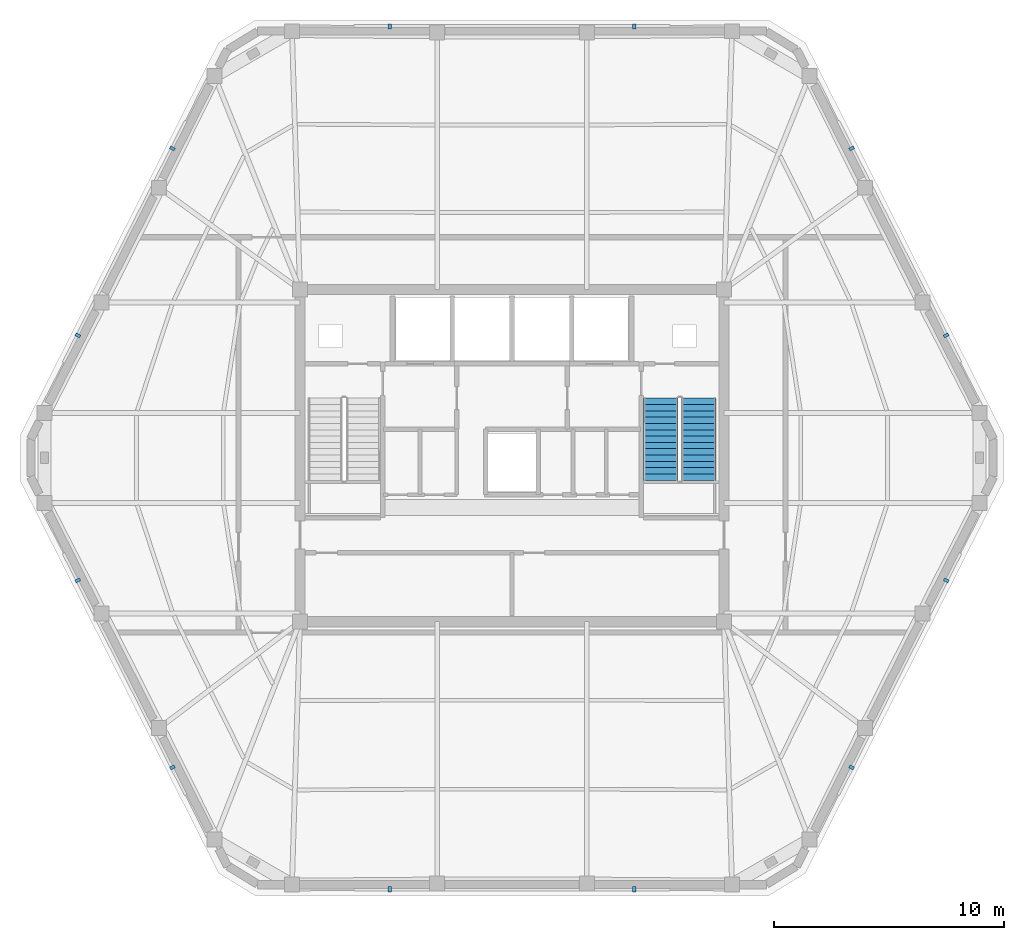
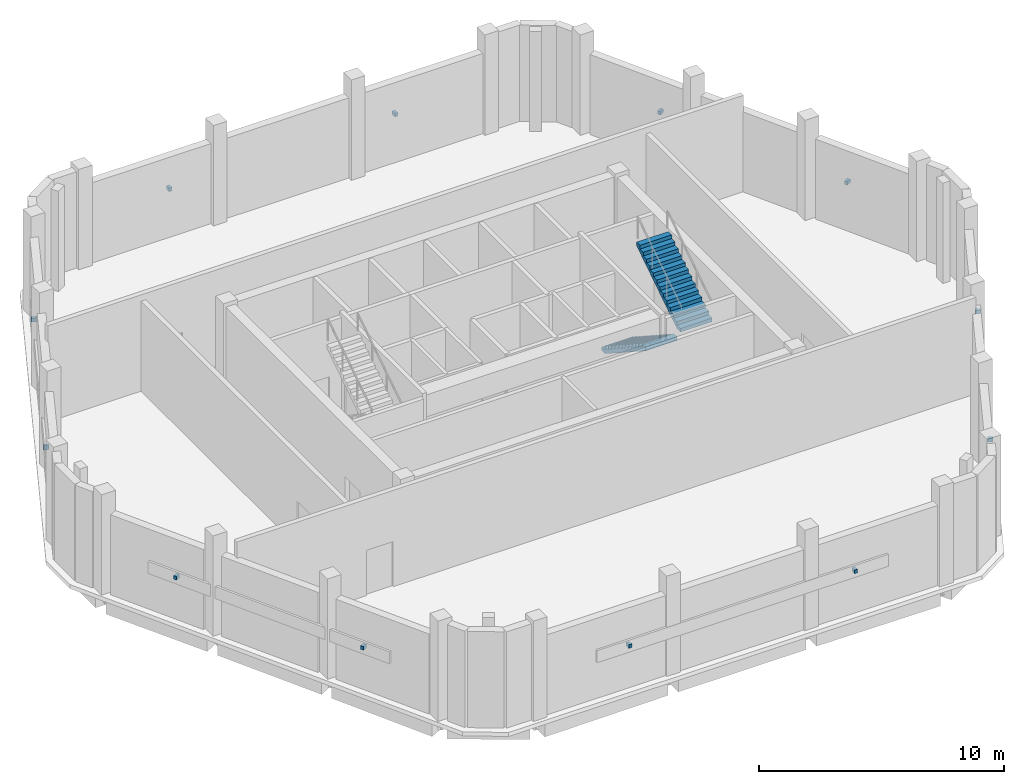
# One storey, part 5 of 8: 12 discrete accessories, 2 stair flights, 1 element without a shape of its own.
"""IFC4 building model written with IfcOpenShell, lengths in metres."""

from ifc_helpers import new_model, si_unit, direction, frame, origin, origin_2d, place, context, subcontext, project, spatial, polyline, rectangle, outline, extrude, material, type_object, element, aggregate, save


model = new_model("IFC4")

# Units and contexts
model_context = context("Model", 3, precision=1e-05, world=origin(), true_north=direction((0.0, 1.0)))
body_context = subcontext(model_context, "Body", "Model", "MODEL_VIEW")
ifc_project = project(units=[si_unit("LENGTHUNIT", "METRE"), si_unit("AREAUNIT", "SQUARE_METRE"), si_unit("VOLUMEUNIT", "CUBIC_METRE"), si_unit("PLANEANGLEUNIT", "RADIAN"), si_unit("MASSUNIT", "GRAM", prefix="KILO")], contexts=[model_context])

# Site, building, storey
site_placement = place(None, origin())
site = spatial("IfcSite", under=ifc_project, at=site_placement, CompositionType="ELEMENT")
building_placement = place(site_placement, origin())
building = spatial("IfcBuilding", under=site, at=building_placement, Name="Cinnabar Lancet Tower", CompositionType="ELEMENT")
storey_placement = place(building_placement, frame((0.0, 0.0, 295.5)))
storey = spatial("IfcBuildingStorey", under=building, at=storey_placement, Name="L78", CompositionType="ELEMENT", Elevation=295.5)

# Stair, stair flights
ifc_material_1 = material(Name="Concrete C40/50", Category="concrete")
stair_type = type_object("IfcStairType", Name="ST-CORE", PredefinedType="HALF_TURN_STAIR", material=ifc_material_1)
stair_placement = place(storey_placement, origin())
stair = element("IfcStair", 1, at=stair_placement, inside=storey, type_object=stair_type, Name="L78 ST-2", PredefinedType="HALF_TURN_STAIR")
ifc_material_2 = material(Name="Concrete C40/50", Category="concrete")
stair_flight_type = type_object("IfcStairFlightType", Name="FLIGHT-CORE", PredefinedType="STRAIGHT", material=ifc_material_2)
stair_flight_1_placement = place(storey_placement, frame((38.875, 28.39990234375, 0.0), z_axis=(0.0, 0.0, 1.0), x_axis=(0.0, -1.0, 0.0)))
stair_flight_1 = element("IfcStairFlight", 2, at=stair_flight_1_placement, type_object=stair_flight_type, Name="ST-2 flight 1", NumberOfRisers=14, NumberOfTreads=13, PredefinedType="STRAIGHT", RiserHeight=0.178571429, TreadLength=0.275, context=body_context, shape_type="SweptSolid", body=[
    extrude(outline(polyline([(0.0, 0.0), (0.0, 0.178466796875), (0.27490234375, 0.178466796875), (0.27490234375, 0.357177734375), (0.550048828125, 0.357177734375), (0.550048828125, 0.53564453125), (0.824951171875, 0.53564453125), (0.824951171875, 0.71435546875), (1.10009765625, 0.71435546875), (1.10009765625, 0.892822265625), (1.375, 0.892822265625), (1.375, 1.071533203125), (1.64990234375, 1.071533203125), (1.64990234375, 1.25), (1.925048828125, 1.25), (1.925048828125, 1.428466796875), (2.199951171875, 1.428466796875), (2.199951171875, 1.607177734375), (2.47509765625, 1.607177734375), (2.47509765625, 1.78564453125), (2.75, 1.78564453125), (2.75, 1.96435546875), (3.02490234375, 1.96435546875), (3.02490234375, 2.142822265625), (3.300048828125, 2.142822265625), (3.300048828125, 2.321533203125), (3.574951171875, 2.321533203125), (3.574951171875, 2.5), (3.574951171875, 2.142578125), (0.275146484375, 0.0), (0.0, 0.0)])), frame((0.0, 0.75, 0.0), z_axis=(0.0, -1.0, 0.0), x_axis=(1.0, 0.0, 0.0)), (0.0, 0.0, 1.0), 1.5),
])
stair_flight_2_placement = place(storey_placement, frame((40.52490234375, 24.824951171875, 2.5), z_axis=(0.0, 0.0, 1.0), x_axis=(0.0, 1.0, 0.0)))
stair_flight_2 = element("IfcStairFlight", 3, at=stair_flight_2_placement, type_object=stair_flight_type, Name="ST-2 flight 2", NumberOfRisers=14, NumberOfTreads=13, PredefinedType="STRAIGHT", RiserHeight=0.178571429, TreadLength=0.275, context=body_context, shape_type="SweptSolid", body=[
    extrude(outline(polyline([(0.0, 0.0), (0.0, 0.178466796875), (0.27490234375, 0.178466796875), (0.27490234375, 0.357177734375), (0.550048828125, 0.357177734375), (0.550048828125, 0.53564453125), (0.824951171875, 0.53564453125), (0.824951171875, 0.71435546875), (1.10009765625, 0.71435546875), (1.10009765625, 0.892822265625), (1.375, 0.892822265625), (1.375, 1.071533203125), (1.64990234375, 1.071533203125), (1.64990234375, 1.25), (1.925048828125, 1.25), (1.925048828125, 1.428466796875), (2.199951171875, 1.428466796875), (2.199951171875, 1.607177734375), (2.47509765625, 1.607177734375), (2.47509765625, 1.78564453125), (2.75, 1.78564453125), (2.75, 1.96435546875), (3.02490234375, 1.96435546875), (3.02490234375, 2.142822265625), (3.300048828125, 2.142822265625), (3.300048828125, 2.321533203125), (3.574951171875, 2.321533203125), (3.574951171875, 2.5), (3.574951171875, 2.142578125), (0.275146484375, 0.0), (0.0, 0.0)])), frame((0.0, 0.75, 0.0), z_axis=(0.0, -1.0, 0.0), x_axis=(1.0, 0.0, 0.0)), (0.0, 0.0, 1.0), 1.5),
])
aggregate(stair, [stair_flight_1, stair_flight_2])

# Discrete accessories
ifc_material_3 = material(Name="Stainless steel 316 facade fixing bracket", Category="steel")
discrete_accessory_type = type_object("IfcDiscreteAccessoryType", Name="ENV-ACC-BRK-180", PredefinedType="BRACKET", material=ifc_material_3)
for number, where, z_axis, x_axis, name in (
    (4, (27.0830078125, 7.034912109375, 2.06005859375), (0.0, 0.0, 1.0), (1.0, 0.0, 0.0), "L78 Face 1 Louvre Fixing Bracket A"),
    (5, (37.717041015625, 7.034912109375, 2.06005859375), (0.0, 0.0, 1.0), (1.0, 0.0, 0.0), "L78 Face 1 Louvre Fixing Bracket B"),
    (6, (47.1708984375, 12.337890625, 2.06005859375), (0.0, 0.0, 1.0), (0.451329261197, 0.892357494498, 0.0), "L78 Face 2 Louvre Fixing Bracket A"),
    (7, (51.285888671875, 20.47412109375, 2.06005859375), (0.0, 0.0, 1.0), (0.451329261197, 0.892357494498, 0.0), "L78 Face 2 Louvre Fixing Bracket B"),
    (8, (51.285888671875, 31.1259765625, 2.06005859375), (0.0, 0.0, 1.0), (-0.451329261197, 0.892357494498, 0.0), "L78 Face 3 Louvre Fixing Bracket A"),
    (9, (47.1708984375, 39.261962890625, 2.06005859375), (0.0, 0.0, 1.0), (-0.451329261197, 0.892357494498, 0.0), "L78 Face 3 Louvre Fixing Bracket B"),
    (10, (37.717041015625, 44.56494140625, 2.06005859375), (0.0, 0.0, 1.0), (-1.0, 0.0, 0.0), "L78 Face 4 Louvre Fixing Bracket A"),
    (11, (27.0830078125, 44.56494140625, 2.06005859375), (0.0, 0.0, 1.0), (-1.0, 0.0, 0.0), "L78 Face 4 Louvre Fixing Bracket B"),
    (12, (17.62890625, 39.261962890625, 2.06005859375), (0.0, 0.0, 1.0), (-0.451329261197, -0.892357494498, 0.0), "L78 Face 5 Louvre Fixing Bracket A"),
    (13, (13.513916015625, 31.1259765625, 2.06005859375), (0.0, 0.0, 1.0), (-0.451329261197, -0.892357494498, 0.0), "L78 Face 5 Louvre Fixing Bracket B"),
    (14, (13.513916015625, 20.47412109375, 2.06005859375), (0.0, 0.0, 1.0), (0.451329261197, -0.892357494498, 0.0), "L78 Face 6 Louvre Fixing Bracket A"),
    (15, (17.62890625, 12.337890625, 2.06005859375), (0.0, 0.0, 1.0), (0.451329261197, -0.892357494498, 0.0), "L78 Face 6 Louvre Fixing Bracket B"),
):
    element("IfcDiscreteAccessory", number, at=place(storey_placement, frame(where, z_axis=z_axis, x_axis=x_axis)), inside=storey, type_object=discrete_accessory_type, Name=name, PredefinedType="BRACKET", context=body_context, shape_type="SweptSolid", body=[
        extrude(rectangle(XDim=0.139892578125, YDim=0.219970703125, at=origin_2d()), origin(), (0.0, 0.0, 1.0), 0.179931640625),
    ])

save(model, "model.ifc")
